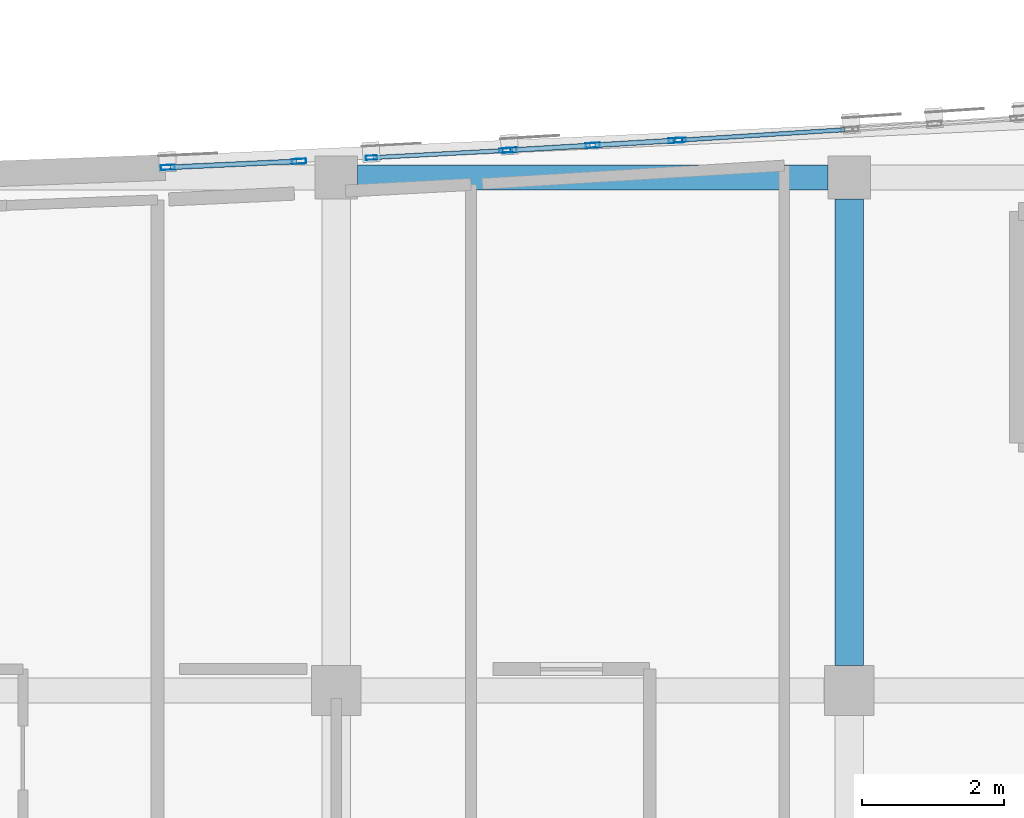
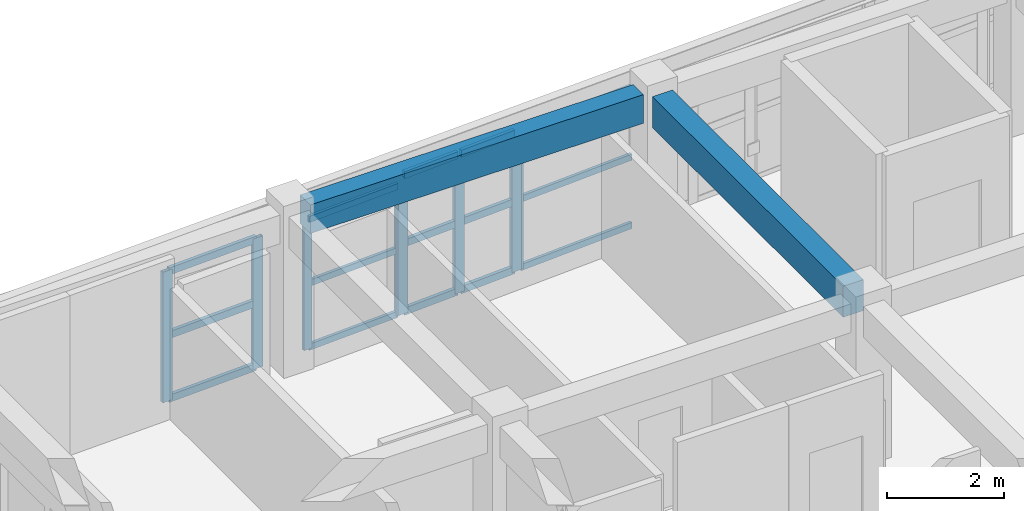
# One storey, part 6 of 48: 23 members, 2 beams, 4 elements without a shape of their own.
"""IFC4 building model written with IfcOpenShell, lengths in metres."""

import ifcopenshell
import ifcopenshell.guid

model = None  # the IFC model being written
_history = None  # IfcOwnerHistory: only IFC2X3 demands one
_inside = {}  # id of a spatial element -> (the spatial element, [elements in it])
_under = {}  # id of a project, library or spatial element -> (it, [spatial elements below it])
_declared = {}  # id of a project -> (the project, [libraries it declares])
_typed = {}  # id of a type object -> (the type object, [elements of that type])
_made_of = {}  # id of a material, layer set ... -> (it, [elements and type objects made of it])


def new_model(schema):
    """Start an empty IFC model of exactly this schema.

    Asked for "IFC4X3", IfcOpenShell would pick the latest addendum, in which some entities
    have other attributes; the version numbers below select the first issue.
    IFC2X3 requires an IfcOwnerHistory on every rooted entity: one is made here for all.
    """
    global model, _history
    if schema == "IFC4X3":
        model = ifcopenshell.file(schema_version=(4, 3, 0, 0))
    else:
        model = ifcopenshell.file(schema=schema)
    _inside.clear()
    _under.clear()
    _declared.clear()
    _typed.clear()
    _made_of.clear()
    _history = None
    if model.schema == "IFC2X3":
        org = make("IfcOrganization", Name="unknown")
        user = make(
            "IfcPersonAndOrganization",
            ThePerson=make("IfcPerson", FamilyName="unknown"),
            TheOrganization=org,
        )
        app = make(
            "IfcApplication",
            ApplicationDeveloper=org,
            Version="unknown",
            ApplicationFullName="unknown",
            ApplicationIdentifier="unknown",
        )
        _history = make(
            "IfcOwnerHistory",
            OwningUser=user,
            OwningApplication=app,
            ChangeAction="ADDED",
            CreationDate=0,
        )
    return model


def make(cls, **values):
    """One entity of the class cls with the attributes given. An attribute that is None is left unset."""
    return model.create_entity(
        cls, **{name: value for name, value in values.items() if value is not None}
    )


def rooted(cls, **values):
    """An entity with a GlobalId (a new one), such as an element, a storey or a relation."""
    return make(cls, GlobalId=ifcopenshell.guid.new(), OwnerHistory=_history, **values)


def si_unit(unit_type, name, prefix=None):
    """IfcSIUnit, for example si_unit("LENGTHUNIT", "METRE", prefix="MILLI")."""
    return make("IfcSIUnit", UnitType=unit_type, Prefix=prefix, Name=name)


def assignment(units):
    """IfcUnitAssignment: the units of a project."""
    return None if units is None else make("IfcUnitAssignment", Units=units)


def point(xyz):
    """IfcCartesianPoint."""
    return None if xyz is None else make("IfcCartesianPoint", Coordinates=xyz)


def direction(xyz):
    """IfcDirection."""
    return None if xyz is None else make("IfcDirection", DirectionRatios=xyz)


def frame(location, z_axis=None, x_axis=None):
    """IfcAxis2Placement3D, a coordinate frame: its origin and axes. An axis left out is left unset."""
    return make(
        "IfcAxis2Placement3D",
        Location=point(location),
        Axis=direction(z_axis),
        RefDirection=direction(x_axis),
    )


def frame_2d(location, x_axis=None):
    """IfcAxis2Placement2D, a coordinate frame in the plane: its origin and x axis."""
    return make(
        "IfcAxis2Placement2D", Location=point(location), RefDirection=direction(x_axis)
    )


def origin():
    """The frame at (0, 0, 0) with its axes left unset."""
    return frame((0.0, 0.0, 0.0))


def origin_2d():
    """The frame at (0, 0) in the plane with its x axis left unset."""
    return frame_2d((0.0, 0.0))


def place(relative_to, where):
    """IfcLocalPlacement: puts the frame where relative to a parent placement (None: the world)."""
    return make(
        "IfcLocalPlacement", PlacementRelTo=relative_to, RelativePlacement=where
    )


def context(
    kind, dimensions, precision=None, world=None, true_north=None, identifier=None
):
    """IfcGeometricRepresentationContext, for example the 3D "Model" context."""
    return make(
        "IfcGeometricRepresentationContext",
        ContextIdentifier=identifier,
        ContextType=kind,
        CoordinateSpaceDimension=dimensions,
        Precision=precision,
        WorldCoordinateSystem=world,
        TrueNorth=true_north,
    )


def subcontext(parent, identifier, kind, view, scale=None):
    """IfcGeometricRepresentationSubContext, for example "Body" below "Model"."""
    return make(
        "IfcGeometricRepresentationSubContext",
        ContextIdentifier=identifier,
        ContextType=kind,
        ParentContext=parent,
        TargetScale=scale,
        TargetView=view,
    )


def project(units=None, contexts=None):
    """IfcProject with its units and contexts."""
    return rooted(
        "IfcProject",
        Name="project",
        RepresentationContexts=contexts,
        UnitsInContext=assignment(units),
    )


def spatial(cls, under=None, at=None, **own):
    """A site, building, storey or space (cls), placed at a placement, below another one or the project."""
    s = rooted(cls, ObjectPlacement=at, **own)
    if under is not None:
        _under.setdefault(under.id(), (under, []))[1].append(s)
    return s


def profile(cls, at=None, kind="AREA", **sizes):
    """A parametric profile (cls). Its sizes go by their IFC names, for example OverallWidth=200.0."""
    return make(cls, ProfileType=kind, Position=at, **sizes)


def rectangle(**sizes):
    """IfcRectangleProfileDef."""
    return profile("IfcRectangleProfileDef", **sizes)


def hollow_rectangle(**sizes):
    """IfcRectangleHollowProfileDef."""
    return profile("IfcRectangleHollowProfileDef", **sizes)


def extrude(swept, where, along, depth):
    """IfcExtrudedAreaSolid: the profile swept, set in the frame where, extruded along a direction by depth."""
    return make(
        "IfcExtrudedAreaSolid",
        SweptArea=swept,
        Position=where,
        ExtrudedDirection=direction(along),
        Depth=depth,
    )


def shape(context_of_items, identifier, shape_type, items):
    """IfcShapeRepresentation: the items that make up one representation, for example the "Body"."""
    return make(
        "IfcShapeRepresentation",
        ContextOfItems=context_of_items,
        RepresentationIdentifier=identifier,
        RepresentationType=shape_type,
        Items=items,
    )


def material(Name=None, Category=None):
    """IfcMaterial."""
    return make("IfcMaterial", Name=Name, Category=Category)


def layer(
    of_material, thickness, ventilated=None, Name=None, Category=None, Priority=None
):
    """IfcMaterialLayer: one layer of a wall or slab, of a material (None: an air gap)."""
    return make(
        "IfcMaterialLayer",
        Material=of_material,
        LayerThickness=thickness,
        IsVentilated=ventilated,
        Name=Name,
        Category=Category,
        Priority=Priority,
    )


def layer_set(layers, Name=None):
    """IfcMaterialLayerSet."""
    return make("IfcMaterialLayerSet", MaterialLayers=layers, LayerSetName=Name)


def material_profile(
    of_material, cross_section, Name=None, Category=None, Priority=None
):
    """IfcMaterialProfile: a cross section and its material."""
    return make(
        "IfcMaterialProfile",
        Name=Name,
        Material=of_material,
        Profile=cross_section,
        Priority=Priority,
        Category=Category,
    )


def profile_set(profiles, Name=None, composite=None):
    """IfcMaterialProfileSet."""
    return make(
        "IfcMaterialProfileSet",
        Name=Name,
        MaterialProfiles=profiles,
        CompositeProfile=composite,
    )


def made_of(thing, what):
    """Note that an element or type object is made of a material, layer set ...; save() writes the relation."""
    if what is not None:
        _made_of.setdefault(what.id(), (what, []))[1].append(thing)
    return thing


def type_object(cls, material=None, **own):
    """A type object (cls), such as IfcWallType, which elements share."""
    return made_of(rooted(cls, **own), material)


def element(
    cls,
    number,
    at=None,
    inside=None,
    cuts=None,
    type_object=None,
    material=None,
    context=None,
    identifier="Body",
    shape_type=None,
    held_by="IfcProductDefinitionShape",
    body=None,
    shapes=None,
    **own,
):
    """One element of the class cls, such as IfcWall. Its Tag is "e" and its number.

    at: its placement. inside: the storey or other place that contains it. cuts: it is an
    opening in that element (IfcRelVoidsElement). A single representation is given by context,
    identifier, shape_type and body (its items); several are given by shapes. held_by: the class
    of the entity that holds the representations. save() writes the other relations.
    """
    e = rooted(cls, Tag="e%d" % number, ObjectPlacement=at, **own)
    if body is not None:
        shapes = [shape(context, identifier, shape_type, body)]
    if shapes is not None:
        e.Representation = make(held_by, Representations=shapes)
    if inside is not None:
        _inside.setdefault(inside.id(), (inside, []))[1].append(e)
    if cuts is not None:
        rooted(
            "IfcRelVoidsElement", RelatingBuildingElement=cuts, RelatedOpeningElement=e
        )
    if type_object is not None:
        _typed.setdefault(type_object.id(), (type_object, []))[1].append(e)
    return made_of(e, material)


def aggregate(whole, parts):
    """IfcRelAggregates: a whole, such as a stair, and the parts it consists of."""
    return rooted("IfcRelAggregates", RelatingObject=whole, RelatedObjects=parts)


def save(model, path):
    """Write the relations noted so far, then the file.

    IfcRelAggregates (storeys below a building ...), IfcRelContainedInSpatialStructure (elements
    in a storey), IfcRelDefinesByType, IfcRelAssociatesMaterial and IfcRelDeclares: one each for
    every whole, place, type object, material and project.
    """
    for whole, parts in _under.values():
        aggregate(whole, parts)
    for where, things in _inside.values():
        rooted(
            "IfcRelContainedInSpatialStructure",
            RelatedElements=things,
            RelatingStructure=where,
        )
    for kind, things in _typed.values():
        rooted("IfcRelDefinesByType", RelatedObjects=things, RelatingType=kind)
    for what, things in _made_of.values():
        rooted("IfcRelAssociatesMaterial", RelatedObjects=things, RelatingMaterial=what)
    for by, libraries in _declared.values():
        rooted("IfcRelDeclares", RelatingContext=by, RelatedDefinitions=libraries)
    model.write(path)


model = new_model("IFC4")

# Units and contexts
model_context = context("Model", 3, precision=1e-05, world=origin(), true_north=direction((0.0, 1.0)))
body_context = subcontext(model_context, "Body", "Model", "MODEL_VIEW")
ifc_project = project(units=[si_unit("LENGTHUNIT", "METRE"), si_unit("AREAUNIT", "SQUARE_METRE"), si_unit("VOLUMEUNIT", "CUBIC_METRE"), si_unit("PLANEANGLEUNIT", "RADIAN"), si_unit("MASSUNIT", "GRAM", prefix="KILO")], contexts=[model_context])

# Site, building, storey
site_placement = place(None, origin())
site = spatial("IfcSite", under=ifc_project, at=site_placement, CompositionType="ELEMENT")
building_placement = place(site_placement, origin())
building = spatial("IfcBuilding", under=site, at=building_placement, Name="Carrowvane Square Congress Hotel", CompositionType="ELEMENT")
storey_placement = place(building_placement, frame((0.0, 0.0, 26.39990234375)))
storey = spatial("IfcBuildingStorey", under=building, at=storey_placement, Name="L06", CompositionType="ELEMENT", Elevation=26.39990234375)

# Beams
ifc_material_1 = material(Name="Concrete C35/45", Category="concrete")
ifc_material_profile_1 = material_profile(ifc_material_1, rectangle(XDim=0.35009765625, YDim=0.60009765625, at=origin_2d()), Name="RC 350x600")
ifc_profile_set_1 = profile_set([ifc_material_profile_1], Name="Concrete C35/45")
beam_type_1 = type_object("IfcBeamType", Name="BM-RC-350x600", PredefinedType="BEAM", material=ifc_profile_set_1)
beam_1_placement = place(storey_placement, frame((40.699951171875, 113.39990234375, 3.050048828125), z_axis=(1.0, 0.0, 0.0), x_axis=(0.0, 1.0, 0.0)))
element("IfcBeam", 1, at=beam_1_placement, inside=storey, type_object=beam_type_1, Name="L07 girder R/5-6", PredefinedType="BEAM", context=body_context, shape_type="SweptSolid", body=[
    extrude(rectangle(XDim=0.35009765625, YDim=0.60009765625, at=origin_2d()), origin(), (0.0, 0.0, 1.0), 6.60009765625),
])
ifc_material_2 = material(Name="Concrete C35/45", Category="concrete")
ifc_material_profile_2 = material_profile(ifc_material_2, rectangle(XDim=0.39990234375, YDim=0.64990234375, at=origin_2d()), Name="RC 400x650")
ifc_profile_set_2 = profile_set([ifc_material_profile_2], Name="Concrete C35/45")
beam_type_2 = type_object("IfcBeamType", Name="BM-RC-400x650", PredefinedType="BEAM", material=ifc_profile_set_2)
beam_2_placement = place(storey_placement, frame((47.60009765625, 106.550048828125, 3.025146484375), z_axis=(0.0, 1.0, 0.0), x_axis=(-1.0, 0.0, 0.0)))
element("IfcBeam", 2, at=beam_2_placement, inside=storey, type_object=beam_type_2, Name="L07 girder 6/Q-R", PredefinedType="BEAM", context=body_context, shape_type="SweptSolid", body=[
    extrude(rectangle(XDim=0.39990234375, YDim=0.64990234375, at=origin_2d()), origin(), (0.0, 0.0, 1.0), 6.550048828125),
])

# Curtain wall, members
ifc_material_3 = material(Name="Anodised aluminium", Category="aluminium")
ifc_layer_1 = layer(ifc_material_3, 0.23388671875)
ifc_layer_set_1 = layer_set([ifc_layer_1], Name="Anodised aluminium")
curtain_wall_type_1 = type_object("IfcCurtainWallType", Name="CW-SYS-7", PredefinedType="NOTDEFINED", material=ifc_layer_set_1)
curtain_wall_1_placement = place(storey_placement, origin())
curtain_wall_1 = element("IfcCurtainWall", 3, at=curtain_wall_1_placement, inside=storey, type_object=curtain_wall_type_1, Name="L06 unitised curtain wall 358", PredefinedType="NOTDEFINED")
ifc_material_4 = material(Name="Anodised aluminium", Category="aluminium")
ifc_material_profile_3 = material_profile(ifc_material_4, hollow_rectangle(XDim=0.06005859375, YDim=0.159912109375, WallThickness=0.00390625, at=origin_2d()), Name="CW-ML 60x160x4")
ifc_profile_set_3 = profile_set([ifc_material_profile_3], Name="Anodised aluminium")
member_type_1 = type_object("IfcMemberType", Name="CW-MUL-1", PredefinedType="MULLION", material=ifc_profile_set_3)
member_1_placement = place(storey_placement, frame((40.893310546875, 113.67919921875, 0.0), z_axis=(0.0, 0.0, 1.0), x_axis=(-0.053513817306, 0.998567109091, 0.0)))
member_1 = element("IfcMember", 4, at=member_1_placement, type_object=member_type_1, Name="CW-7 mullion 1", PredefinedType="MULLION", context=body_context, shape_type="SweptSolid", body=[
    extrude(hollow_rectangle(XDim=0.06005859375, YDim=0.159912109375, WallThickness=0.00390625, at=origin_2d()), origin(), (0.0, 0.0, 1.0), 2.735107421875),
])
member_2_placement = place(storey_placement, frame((42.77001953125, 113.77978515625, 0.0), z_axis=(0.0, 0.0, 1.0), x_axis=(-0.053513817306, 0.998567109091, 0.0)))
member_2 = element("IfcMember", 5, at=member_2_placement, type_object=member_type_1, Name="CW-7 mullion 2", PredefinedType="MULLION", context=body_context, shape_type="SweptSolid", body=[
    extrude(hollow_rectangle(XDim=0.06005859375, YDim=0.159912109375, WallThickness=0.00390625, at=origin_2d()), origin(), (0.0, 0.0, 1.0), 2.735107421875),
])

# Curtain wall, member
ifc_material_5 = material(Name="Anodised aluminium", Category="aluminium")
ifc_layer_2 = layer(ifc_material_5, 0.162109375)
ifc_layer_set_2 = layer_set([ifc_layer_2], Name="Anodised aluminium")
curtain_wall_type_2 = type_object("IfcCurtainWallType", Name="CW-SYS-1", PredefinedType="NOTDEFINED", material=ifc_layer_set_2)
curtain_wall_2_placement = place(storey_placement, origin())
curtain_wall_2 = element("IfcCurtainWall", 6, at=curtain_wall_2_placement, inside=storey, type_object=curtain_wall_type_2, Name="L06 unitised curtain wall 360", PredefinedType="NOTDEFINED")
member_3_placement = place(storey_placement, frame((45.22998046875, 113.925048828125, 0.0), z_axis=(0.0, 0.0, 1.0), x_axis=(-0.063273487972, 0.997996225303, 0.0)))
member_3 = element("IfcMember", 7, at=member_3_placement, type_object=member_type_1, Name="CW-1 mullion 1", PredefinedType="MULLION", context=body_context, shape_type="SweptSolid", body=[
    extrude(hollow_rectangle(XDim=0.06005859375, YDim=0.159912109375, WallThickness=0.00390625, at=origin_2d()), origin(), (0.0, 0.0, 1.0), 2.92578125),
])

# Curtain wall, members
ifc_material_6 = material(Name="Anodised aluminium", Category="aluminium")
ifc_layer_3 = layer(ifc_material_6, 0.221923828125)
ifc_layer_set_3 = layer_set([ifc_layer_3], Name="Anodised aluminium")
curtain_wall_type_3 = type_object("IfcCurtainWallType", Name="CW-SYS-6", PredefinedType="NOTDEFINED", material=ifc_layer_set_3)
curtain_wall_3_placement = place(storey_placement, origin())
curtain_wall_3 = element("IfcCurtainWall", 8, at=curtain_wall_3_placement, inside=storey, type_object=curtain_wall_type_3, Name="L06 unitised curtain wall 357", PredefinedType="NOTDEFINED")
ifc_material_7 = material(Name="Anodised aluminium", Category="aluminium")
ifc_material_profile_4 = material_profile(ifc_material_7, hollow_rectangle(XDim=0.070068359375, YDim=0.199951171875, WallThickness=0.0048828125, at=origin_2d()), Name="CW-ML 70x200x5")
ifc_profile_set_4 = profile_set([ifc_material_profile_4], Name="Anodised aluminium")
member_type_2 = type_object("IfcMemberType", Name="CW-MUL-2", PredefinedType="MULLION", material=ifc_profile_set_4)
member_4_placement = place(storey_placement, frame((38.034912109375, 113.54248046875, 0.0), z_axis=(0.0, 0.0, 1.0), x_axis=(-0.046522035775, 0.998917263935, 0.0)))
member_4 = element("IfcMember", 9, at=member_4_placement, type_object=member_type_2, Name="CW-6 mullion 1", PredefinedType="MULLION", context=body_context, shape_type="SweptSolid", body=[
    extrude(hollow_rectangle(XDim=0.070068359375, YDim=0.199951171875, WallThickness=0.0048828125, at=origin_2d()), origin(), (0.0, 0.0, 1.0), 2.735107421875),
])
member_5_placement = place(storey_placement, frame((39.87646484375, 113.62841796875, 0.0), z_axis=(0.0, 0.0, 1.0), x_axis=(-0.046522035775, 0.998917263935, 0.0)))
member_5 = element("IfcMember", 10, at=member_5_placement, type_object=member_type_2, Name="CW-6 mullion 2", PredefinedType="MULLION", context=body_context, shape_type="SweptSolid", body=[
    extrude(hollow_rectangle(XDim=0.070068359375, YDim=0.199951171875, WallThickness=0.0048828125, at=origin_2d()), origin(), (0.0, 0.0, 1.0), 2.735107421875),
])

ifc_material_8 = material(Name="Anodised aluminium", Category="aluminium")
ifc_layer_4 = layer(ifc_material_8, 0.24609375)
ifc_layer_set_4 = layer_set([ifc_layer_4], Name="Anodised aluminium")
curtain_wall_type_4 = type_object("IfcCurtainWallType", Name="CW-SYS-8", PredefinedType="NOTDEFINED", material=ifc_layer_set_4)
curtain_wall_4_placement = place(storey_placement, origin())
curtain_wall_4 = element("IfcCurtainWall", 11, at=curtain_wall_4_placement, inside=storey, type_object=curtain_wall_type_4, Name="L06 unitised curtain wall 359", PredefinedType="NOTDEFINED")
member_6_placement = place(storey_placement, frame((42.8349609375, 113.783447265625, 0.0), z_axis=(0.0, 0.0, 1.0), x_axis=(-0.058988522254, 0.99825866099, 0.0)))
member_6 = element("IfcMember", 12, at=member_6_placement, type_object=member_type_2, Name="CW-8 mullion 1", PredefinedType="MULLION", context=body_context, shape_type="SweptSolid", body=[
    extrude(hollow_rectangle(XDim=0.070068359375, YDim=0.199951171875, WallThickness=0.0048828125, at=origin_2d()), origin(), (0.0, 0.0, 1.0), 2.92578125),
])
member_7_placement = place(storey_placement, frame((44.0, 113.852294921875, 0.0), z_axis=(0.0, 0.0, 1.0), x_axis=(-0.058988522254, 0.99825866099, 0.0)))
member_7 = element("IfcMember", 13, at=member_7_placement, type_object=member_type_2, Name="CW-8 mullion 2", PredefinedType="MULLION", context=body_context, shape_type="SweptSolid", body=[
    extrude(hollow_rectangle(XDim=0.070068359375, YDim=0.199951171875, WallThickness=0.0048828125, at=origin_2d()), origin(), (0.0, 0.0, 1.0), 2.92578125),
])
member_8_placement = place(storey_placement, frame((45.1650390625, 113.921142578125, 0.0), z_axis=(0.0, 0.0, 1.0), x_axis=(-0.058988522254, 0.99825866099, 0.0)))
member_8 = element("IfcMember", 14, at=member_8_placement, type_object=member_type_2, Name="CW-8 mullion 3", PredefinedType="MULLION", context=body_context, shape_type="SweptSolid", body=[
    extrude(hollow_rectangle(XDim=0.070068359375, YDim=0.199951171875, WallThickness=0.0048828125, at=origin_2d()), origin(), (0.0, 0.0, 1.0), 2.92578125),
])

# Member
ifc_material_9 = material(Name="Anodised aluminium", Category="aluminium")
ifc_material_profile_5 = material_profile(ifc_material_9, hollow_rectangle(XDim=0.06005859375, YDim=0.1298828125, WallThickness=0.00390625, at=origin_2d()), Name="CW-TR 60x130x4")
ifc_profile_set_5 = profile_set([ifc_material_profile_5], Name="Anodised aluminium")
member_type_3 = type_object("IfcMemberType", Name="CW-TRN-1", PredefinedType="USERDEFINED", material=ifc_profile_set_5)
member_9_placement = place(storey_placement, frame((40.923095703125, 113.6806640625, 0.030029296875), z_axis=(0.998565827462, 0.053537727111, 0.0), x_axis=(-0.053537727111, 0.998565827462, 0.0)))
member_9 = element("IfcMember", 15, at=member_9_placement, type_object=member_type_3, Name="CW-7 transom 1.1", ObjectType="TRANSOM", PredefinedType="USERDEFINED", context=body_context, shape_type="SweptSolid", body=[
    extrude(hollow_rectangle(XDim=0.06005859375, YDim=0.1298828125, WallThickness=0.00390625, at=origin_2d()), origin(), (0.0, 0.0, 1.0), 1.819580078125),
])

member_10_placement = place(storey_placement, frame((40.923095703125, 113.6806640625, 1.36767578125), z_axis=(0.998565827462, 0.053537727111, 0.0), x_axis=(-0.053537727111, 0.998565827462, 0.0)))
member_10 = element("IfcMember", 16, at=member_10_placement, type_object=member_type_3, Name="CW-7 transom 1.2", ObjectType="TRANSOM", PredefinedType="USERDEFINED", context=body_context, shape_type="SweptSolid", body=[
    extrude(hollow_rectangle(XDim=0.06005859375, YDim=0.1298828125, WallThickness=0.00390625, at=origin_2d()), origin(), (0.0, 0.0, 1.0), 1.819580078125),
])

member_11_placement = place(storey_placement, frame((40.923095703125, 113.6806640625, 2.705078125), z_axis=(0.998565827462, 0.053537727111, 0.0), x_axis=(-0.053537727111, 0.998565827462, 0.0)))
member_11 = element("IfcMember", 17, at=member_11_placement, type_object=member_type_3, Name="CW-7 transom 1.3", ObjectType="TRANSOM", PredefinedType="USERDEFINED", context=body_context, shape_type="SweptSolid", body=[
    extrude(hollow_rectangle(XDim=0.06005859375, YDim=0.1298828125, WallThickness=0.00390625, at=origin_2d()), origin(), (0.0, 0.0, 1.0), 1.819580078125),
])

aggregate(curtain_wall_1, [member_1, member_2, member_9, member_10, member_11])

member_12_placement = place(storey_placement, frame((45.259765625, 113.927001953125, 0.030029296875), z_axis=(0.997997311039, 0.063256360614, 0.0), x_axis=(-0.063256360614, 0.997997311039, 0.0)))
member_12 = element("IfcMember", 18, at=member_12_placement, type_object=member_type_3, Name="CW-1 transom 1.1", ObjectType="TRANSOM", PredefinedType="USERDEFINED", context=body_context, shape_type="SweptSolid", body=[
    extrude(hollow_rectangle(XDim=0.06005859375, YDim=0.1298828125, WallThickness=0.00390625, at=origin_2d()), origin(), (0.0, 0.0, 1.0), 2.284912109375),
])

member_13_placement = place(storey_placement, frame((45.259765625, 113.927001953125, 1.462890625), z_axis=(0.997997311039, 0.063256360614, 0.0), x_axis=(-0.063256360614, 0.997997311039, 0.0)))
member_13 = element("IfcMember", 19, at=member_13_placement, type_object=member_type_3, Name="CW-1 transom 1.2", ObjectType="TRANSOM", PredefinedType="USERDEFINED", context=body_context, shape_type="SweptSolid", body=[
    extrude(hollow_rectangle(XDim=0.06005859375, YDim=0.1298828125, WallThickness=0.00390625, at=origin_2d()), origin(), (0.0, 0.0, 1.0), 2.284912109375),
])

member_14_placement = place(storey_placement, frame((45.259765625, 113.927001953125, 2.895751953125), z_axis=(0.997997311039, 0.063256360614, 0.0), x_axis=(-0.063256360614, 0.997997311039, 0.0)))
member_14 = element("IfcMember", 20, at=member_14_placement, type_object=member_type_3, Name="CW-1 transom 1.3", ObjectType="TRANSOM", PredefinedType="USERDEFINED", context=body_context, shape_type="SweptSolid", body=[
    extrude(hollow_rectangle(XDim=0.06005859375, YDim=0.1298828125, WallThickness=0.00390625, at=origin_2d()), origin(), (0.0, 0.0, 1.0), 2.284912109375),
])

aggregate(curtain_wall_2, [member_3, member_12, member_13, member_14])

ifc_material_10 = material(Name="Anodised aluminium", Category="aluminium")
ifc_material_profile_6 = material_profile(ifc_material_10, hollow_rectangle(XDim=0.070068359375, YDim=0.14990234375, WallThickness=0.0048828125, at=origin_2d()), Name="CW-TR 70x150x5")
ifc_profile_set_6 = profile_set([ifc_material_profile_6], Name="Anodised aluminium")
member_type_4 = type_object("IfcMemberType", Name="CW-TRN-2", PredefinedType="USERDEFINED", material=ifc_profile_set_6)
member_15_placement = place(storey_placement, frame((38.06982421875, 113.544189453125, 0.03515625), z_axis=(0.998917112664, 0.046525283737, 0.0), x_axis=(-0.046525283737, 0.998917112664, 0.0)))
member_15 = element("IfcMember", 21, at=member_15_placement, type_object=member_type_4, Name="CW-6 transom 1.1", ObjectType="TRANSOM", PredefinedType="USERDEFINED", context=body_context, shape_type="SweptSolid", body=[
    extrude(hollow_rectangle(XDim=0.070068359375, YDim=0.14990234375, WallThickness=0.0048828125, at=origin_2d()), origin(), (0.0, 0.0, 1.0), 1.773681640625),
])

member_16_placement = place(storey_placement, frame((38.06982421875, 113.544189453125, 1.36767578125), z_axis=(0.998917112664, 0.046525283737, 0.0), x_axis=(-0.046525283737, 0.998917112664, 0.0)))
member_16 = element("IfcMember", 22, at=member_16_placement, type_object=member_type_4, Name="CW-6 transom 1.2", ObjectType="TRANSOM", PredefinedType="USERDEFINED", context=body_context, shape_type="SweptSolid", body=[
    extrude(hollow_rectangle(XDim=0.070068359375, YDim=0.14990234375, WallThickness=0.0048828125, at=origin_2d()), origin(), (0.0, 0.0, 1.0), 1.773681640625),
])

member_17_placement = place(storey_placement, frame((38.06982421875, 113.544189453125, 2.7001953125), z_axis=(0.998917112664, 0.046525283737, 0.0), x_axis=(-0.046525283737, 0.998917112664, 0.0)))
member_17 = element("IfcMember", 23, at=member_17_placement, type_object=member_type_4, Name="CW-6 transom 1.3", ObjectType="TRANSOM", PredefinedType="USERDEFINED", context=body_context, shape_type="SweptSolid", body=[
    extrude(hollow_rectangle(XDim=0.070068359375, YDim=0.14990234375, WallThickness=0.0048828125, at=origin_2d()), origin(), (0.0, 0.0, 1.0), 1.773681640625),
])

aggregate(curtain_wall_3, [member_4, member_5, member_15, member_16, member_17])

member_18_placement = place(storey_placement, frame((42.869873046875, 113.785400390625, 0.03515625), z_axis=(0.998259762999, 0.058969870084, 0.0), x_axis=(-0.058969870084, 0.998259762999, 0.0)))
member_18 = element("IfcMember", 24, at=member_18_placement, type_object=member_type_4, Name="CW-8 transom 1.1", ObjectType="TRANSOM", PredefinedType="USERDEFINED", context=body_context, shape_type="SweptSolid", body=[
    extrude(hollow_rectangle(XDim=0.070068359375, YDim=0.14990234375, WallThickness=0.0048828125, at=origin_2d()), origin(), (0.0, 0.0, 1.0), 1.09716796875),
])

member_19_placement = place(storey_placement, frame((42.869873046875, 113.785400390625, 1.462890625), z_axis=(0.998259762999, 0.058969870084, 0.0), x_axis=(-0.058969870084, 0.998259762999, 0.0)))
member_19 = element("IfcMember", 25, at=member_19_placement, type_object=member_type_4, Name="CW-8 transom 1.2", ObjectType="TRANSOM", PredefinedType="USERDEFINED", context=body_context, shape_type="SweptSolid", body=[
    extrude(hollow_rectangle(XDim=0.070068359375, YDim=0.14990234375, WallThickness=0.0048828125, at=origin_2d()), origin(), (0.0, 0.0, 1.0), 1.09716796875),
])

member_20_placement = place(storey_placement, frame((42.869873046875, 113.785400390625, 2.890625), z_axis=(0.998259762999, 0.058969870084, 0.0), x_axis=(-0.058969870084, 0.998259762999, 0.0)))
member_20 = element("IfcMember", 26, at=member_20_placement, type_object=member_type_4, Name="CW-8 transom 1.3", ObjectType="TRANSOM", PredefinedType="USERDEFINED", context=body_context, shape_type="SweptSolid", body=[
    extrude(hollow_rectangle(XDim=0.070068359375, YDim=0.14990234375, WallThickness=0.0048828125, at=origin_2d()), origin(), (0.0, 0.0, 1.0), 1.09716796875),
])

member_21_placement = place(storey_placement, frame((44.034912109375, 113.854248046875, 0.03515625), z_axis=(0.998259762999, 0.058969870084, 0.0), x_axis=(-0.058969870084, 0.998259762999, 0.0)))
member_21 = element("IfcMember", 27, at=member_21_placement, type_object=member_type_4, Name="CW-8 transom 2.1", ObjectType="TRANSOM", PredefinedType="USERDEFINED", context=body_context, shape_type="SweptSolid", body=[
    extrude(hollow_rectangle(XDim=0.070068359375, YDim=0.14990234375, WallThickness=0.0048828125, at=origin_2d()), origin(), (0.0, 0.0, 1.0), 1.09716796875),
])

member_22_placement = place(storey_placement, frame((44.034912109375, 113.854248046875, 1.462890625), z_axis=(0.998259762999, 0.058969870084, 0.0), x_axis=(-0.058969870084, 0.998259762999, 0.0)))
member_22 = element("IfcMember", 28, at=member_22_placement, type_object=member_type_4, Name="CW-8 transom 2.2", ObjectType="TRANSOM", PredefinedType="USERDEFINED", context=body_context, shape_type="SweptSolid", body=[
    extrude(hollow_rectangle(XDim=0.070068359375, YDim=0.14990234375, WallThickness=0.0048828125, at=origin_2d()), origin(), (0.0, 0.0, 1.0), 1.09716796875),
])

member_23_placement = place(storey_placement, frame((44.034912109375, 113.854248046875, 2.890625), z_axis=(0.998259762999, 0.058969870084, 0.0), x_axis=(-0.058969870084, 0.998259762999, 0.0)))
member_23 = element("IfcMember", 29, at=member_23_placement, type_object=member_type_4, Name="CW-8 transom 2.3", ObjectType="TRANSOM", PredefinedType="USERDEFINED", context=body_context, shape_type="SweptSolid", body=[
    extrude(hollow_rectangle(XDim=0.070068359375, YDim=0.14990234375, WallThickness=0.0048828125, at=origin_2d()), origin(), (0.0, 0.0, 1.0), 1.09716796875),
])

aggregate(curtain_wall_4, [member_6, member_7, member_8, member_18, member_19, member_20, member_21, member_22, member_23])

save(model, "model.ifc")
